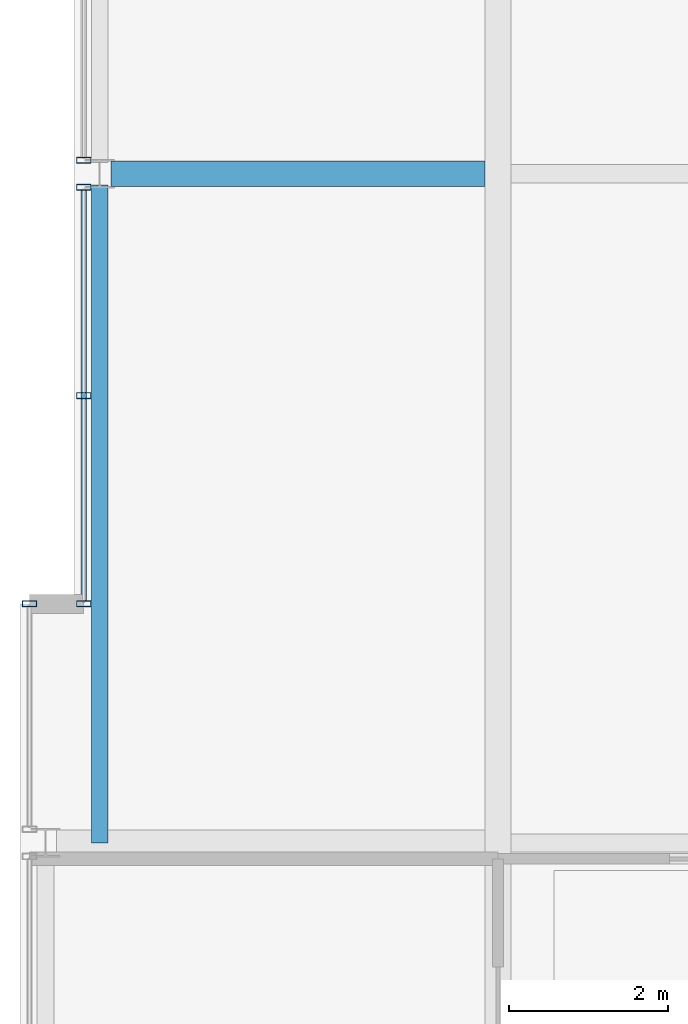
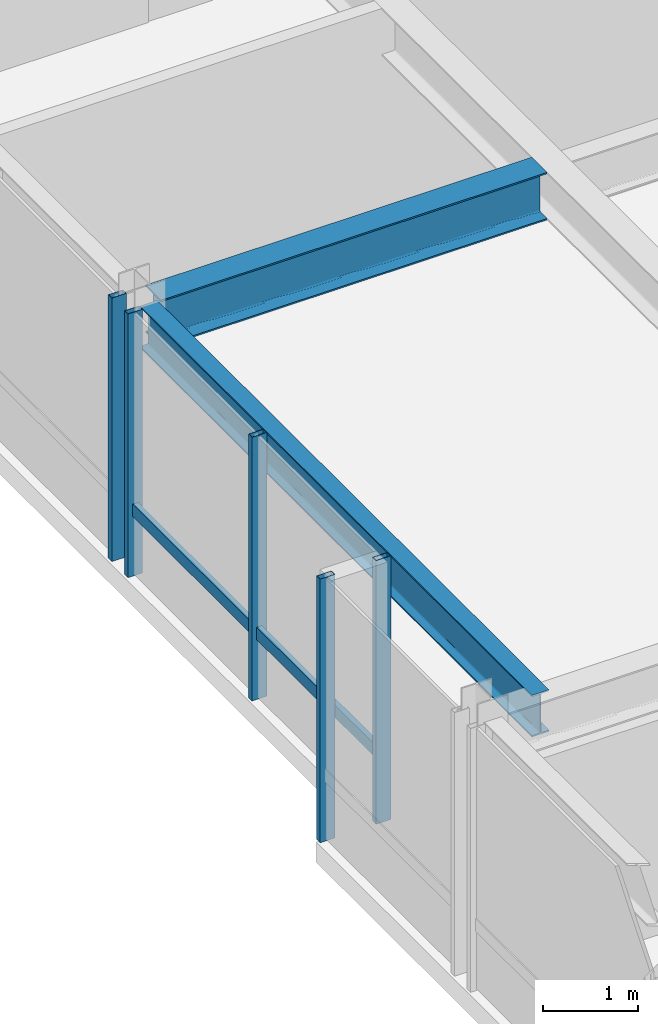
# One storey, part 11 of 34: 6 members, 2 beams, 3 elements without a shape of their own.
"""IFC4 building model written with IfcOpenShell, lengths in metres."""

from ifc_helpers import new_model, si_unit, direction, frame, origin, origin_2d, place, context, subcontext, project, spatial, hollow_rectangle, i_section, extrude, material, layer, layer_set, material_profile, profile_set, type_object, element, aggregate, save


model = new_model("IFC4")

# Units and contexts
model_context = context("Model", 3, precision=1e-05, world=origin(), true_north=direction((0.0, 1.0)))
body_context = subcontext(model_context, "Body", "Model", "MODEL_VIEW")
ifc_project = project(units=[si_unit("LENGTHUNIT", "METRE"), si_unit("AREAUNIT", "SQUARE_METRE"), si_unit("VOLUMEUNIT", "CUBIC_METRE"), si_unit("PLANEANGLEUNIT", "RADIAN"), si_unit("MASSUNIT", "GRAM", prefix="KILO")], contexts=[model_context])

# Site, building, storey
site_placement = place(None, origin())
site = spatial("IfcSite", under=ifc_project, at=site_placement, CompositionType="ELEMENT")
building_placement = place(site_placement, origin())
building = spatial("IfcBuilding", under=site, at=building_placement, Name="Drelvath Grand Hotel", CompositionType="ELEMENT")
storey_placement = place(building_placement, frame((0.0, 0.0, 286.89990234375)))
storey = spatial("IfcBuildingStorey", under=building, at=storey_placement, Name="L75", CompositionType="ELEMENT", Elevation=286.89990234375)

# Curtain wall, member
ifc_material_1 = material(Name="Platinum-Mist Anodised Aluminium Frame", Category="aluminium")
ifc_layer = layer(ifc_material_1, 0.199951171875)
ifc_layer_set = layer_set([ifc_layer], Name="Platinum-Mist Anodised Aluminium Frame")
curtain_wall_type = type_object("IfcCurtainWallType", Name="Stick Curtain Wall CW-05 Platinum Mist High-Rise", PredefinedType="NOTDEFINED", material=ifc_layer_set)
curtain_wall_1_placement = place(storey_placement, origin())
curtain_wall_1 = element("IfcCurtainWall", 1, at=curtain_wall_1_placement, inside=storey, type_object=curtain_wall_type, Name="L75 CW-05 Curtain Wall CW05-L75-WM1", PredefinedType="NOTDEFINED")
ifc_material_profile_1 = material_profile(ifc_material_1, hollow_rectangle(XDim=0.06494140625, YDim=0.159912109375, WallThickness=0.00390625, at=origin_2d()), Name="HSS160X65X4")
ifc_profile_set_1 = profile_set([ifc_material_profile_1], Name="Platinum-Mist Anodised Aluminium Frame")
member_type_1 = type_object("IfcMemberType", Name="Curtain Wall Horizontal Transom CW-05 HSS160X65X4", PredefinedType="USERDEFINED", material=ifc_profile_set_1)
member_1_placement = place(storey_placement, frame((-21.39990234375, 21.639892578125, 0.84765625), z_axis=(0.0, 1.0, 0.0), x_axis=(-1.0, 0.0, 0.0)))
member_1 = element("IfcMember", 2, at=member_1_placement, type_object=member_type_1, Name="CW05-L75-WM1 Sill Transom", ObjectType="TRANSOM", PredefinedType="USERDEFINED", context=body_context, shape_type="SweptSolid", body=[
    extrude(hollow_rectangle(XDim=0.06494140625, YDim=0.159912109375, WallThickness=0.00390625, at=origin_2d()), origin(), (0.0, 0.0, 1.0), 5.150146484375),
])

curtain_wall_2_placement = place(storey_placement, origin())
curtain_wall_2 = element("IfcCurtainWall", 3, at=curtain_wall_2_placement, inside=storey, type_object=curtain_wall_type, Name="L75 CW-05 Curtain Wall CW05-L75-WS2", PredefinedType="NOTDEFINED")
ifc_material_profile_2 = material_profile(ifc_material_1, hollow_rectangle(XDim=0.074951171875, YDim=0.179931640625, WallThickness=0.0048828125, at=origin_2d()), Name="HSS180X75X5")
ifc_profile_set_2 = profile_set([ifc_material_profile_2], Name="Platinum-Mist Anodised Aluminium Frame")
member_type_2 = type_object("IfcMemberType", Name="Curtain Wall Vertical Mullion CW-05 HSS180X75X5", PredefinedType="MULLION", material=ifc_profile_set_2)
member_2_placement = place(storey_placement, frame((-22.080078125, 21.60009765625, 0.0), z_axis=(0.0, 0.0, 1.0), x_axis=(0.0, 1.0, 0.0)))
member_2 = element("IfcMember", 4, at=member_2_placement, type_object=member_type_2, Name="CW05-L75-WS2 Mullion 2", PredefinedType="MULLION", context=body_context, shape_type="SweptSolid", body=[
    extrude(hollow_rectangle(XDim=0.074951171875, YDim=0.179931640625, WallThickness=0.0048828125, at=origin_2d()), origin(), (0.0, 0.0, 1.0), 3.39013671875),
])
aggregate(curtain_wall_2, [member_2])

# Member
member_3_placement = place(storey_placement, frame((-21.39990234375, 21.60009765625, 0.0), z_axis=(0.0, 0.0, 1.0), x_axis=(0.0, 1.0, 0.0)))
member_3 = element("IfcMember", 5, at=member_3_placement, type_object=member_type_2, Name="CW05-L75-WM1 Mullion 1", PredefinedType="MULLION", context=body_context, shape_type="SweptSolid", body=[
    extrude(hollow_rectangle(XDim=0.074951171875, YDim=0.179931640625, WallThickness=0.0048828125, at=origin_2d()), origin(), (0.0, 0.0, 1.0), 3.39013671875),
])

member_4_placement = place(storey_placement, frame((-21.39990234375, 24.215087890625, 0.0), z_axis=(0.0, 0.0, 1.0), x_axis=(0.0, 1.0, 0.0)))
member_4 = element("IfcMember", 6, at=member_4_placement, type_object=member_type_2, Name="CW05-L75-WM1 Mullion 2", PredefinedType="MULLION", context=body_context, shape_type="SweptSolid", body=[
    extrude(hollow_rectangle(XDim=0.074951171875, YDim=0.179931640625, WallThickness=0.0048828125, at=origin_2d()), origin(), (0.0, 0.0, 1.0), 3.39013671875),
])

member_5_placement = place(storey_placement, frame((-21.39990234375, 26.830078125, 0.0), z_axis=(0.0, 0.0, 1.0), x_axis=(0.0, 1.0, 0.0)))
member_5 = element("IfcMember", 7, at=member_5_placement, type_object=member_type_2, Name="CW05-L75-WM1 Mullion 3", PredefinedType="MULLION", context=body_context, shape_type="SweptSolid", body=[
    extrude(hollow_rectangle(XDim=0.074951171875, YDim=0.179931640625, WallThickness=0.0048828125, at=origin_2d()), origin(), (0.0, 0.0, 1.0), 3.39013671875),
])

aggregate(curtain_wall_1, [member_3, member_4, member_5, member_1])

# Curtain wall, member
curtain_wall_3_placement = place(storey_placement, origin())
curtain_wall_3 = element("IfcCurtainWall", 8, at=curtain_wall_3_placement, inside=storey, type_object=curtain_wall_type, Name="L75 CW-05 Curtain Wall CW05-L75-WM2", PredefinedType="NOTDEFINED")
member_6_placement = place(storey_placement, frame((-21.39990234375, 27.169921875, 0.0), z_axis=(0.0, 0.0, 1.0), x_axis=(0.0, 1.0, 0.0)))
member_6 = element("IfcMember", 9, at=member_6_placement, type_object=member_type_2, Name="CW05-L75-WM2 Mullion 1", PredefinedType="MULLION", context=body_context, shape_type="SweptSolid", body=[
    extrude(hollow_rectangle(XDim=0.074951171875, YDim=0.179931640625, WallThickness=0.0048828125, at=origin_2d()), origin(), (0.0, 0.0, 1.0), 3.39013671875),
])
aggregate(curtain_wall_3, [member_6])

# Beams
ifc_material_2 = material(Name="Steel ASTM A992 Gr 50", Category="steel")
ifc_material_profile_3 = material_profile(ifc_material_2, i_section(OverallWidth=0.210205078125, OverallDepth=0.53662109375, WebThickness=0.010986328125, FlangeThickness=0.017333984375, FilletRadius=0.01806640625, at=origin_2d()), Name="W21X68")
ifc_profile_set_3 = profile_set([ifc_material_profile_3], Name="Steel ASTM A992 Gr 50")
beam_type_1 = type_object("IfcBeamType", Name="Perimeter Spandrel Beam W21X68", PredefinedType="SPANDREL", material=ifc_profile_set_3)
beam_1_placement = place(storey_placement, frame((-21.199951171875, 18.60009765625, 3.121826171875), z_axis=(0.0, 1.0, 0.0), x_axis=(-1.0, 0.0, 0.0)))
element("IfcBeam", 10, at=beam_1_placement, inside=storey, type_object=beam_type_1, Name="L75 Spandrel West Mid S", PredefinedType="SPANDREL", context=body_context, shape_type="SweptSolid", body=[
    extrude(i_section(OverallWidth=0.210205078125, OverallDepth=0.53662109375, WebThickness=0.010986328125, FlangeThickness=0.017333984375, FilletRadius=0.01806640625, at=origin_2d()), origin(), (0.0, 0.0, 1.0), 8.260009765625),
])
ifc_material_profile_4 = material_profile(ifc_material_2, i_section(OverallWidth=0.323974609375, OverallDepth=0.611083984375, WebThickness=0.0126953125, FlangeThickness=0.01904296875, FilletRadius=0.02197265625, at=origin_2d()), Name="W24X104")
ifc_profile_set_4 = profile_set([ifc_material_profile_4], Name="Steel ASTM A992 Gr 50")
beam_type_2 = type_object("IfcBeamType", Name="Primary Floor Girder W24X104", PredefinedType="BEAM", material=ifc_profile_set_4)
beam_2_placement = place(storey_placement, frame((-21.06005859375, 27.0, 3.084716796875), z_axis=(1.0, 0.0, 0.0), x_axis=(0.0, 1.0, 0.0)))
element("IfcBeam", 11, at=beam_2_placement, inside=storey, type_object=beam_type_2, Name="L75 West Wing Girder E", PredefinedType="BEAM", context=body_context, shape_type="SweptSolid", body=[
    extrude(i_section(OverallWidth=0.323974609375, OverallDepth=0.611083984375, WebThickness=0.0126953125, FlangeThickness=0.01904296875, FilletRadius=0.02197265625, at=origin_2d()), origin(), (0.0, 0.0, 1.0), 4.697998046875),
])

save(model, "model.ifc")
